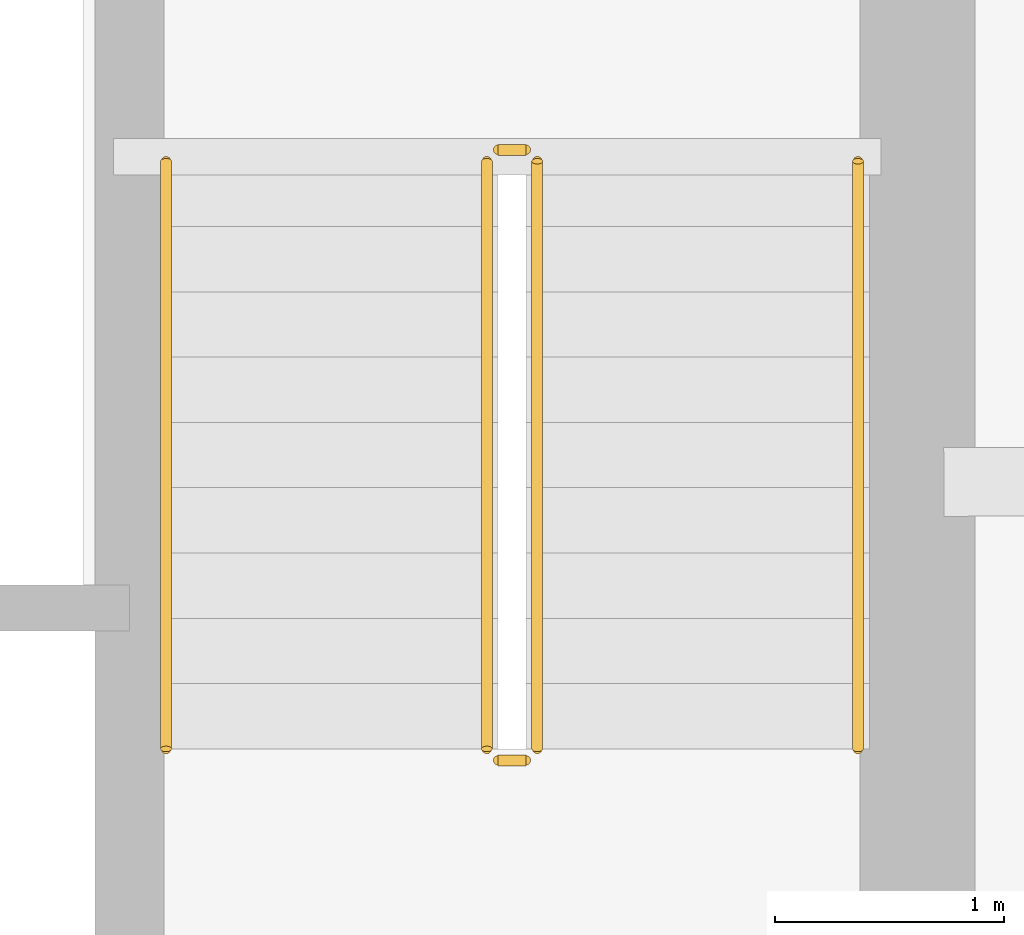
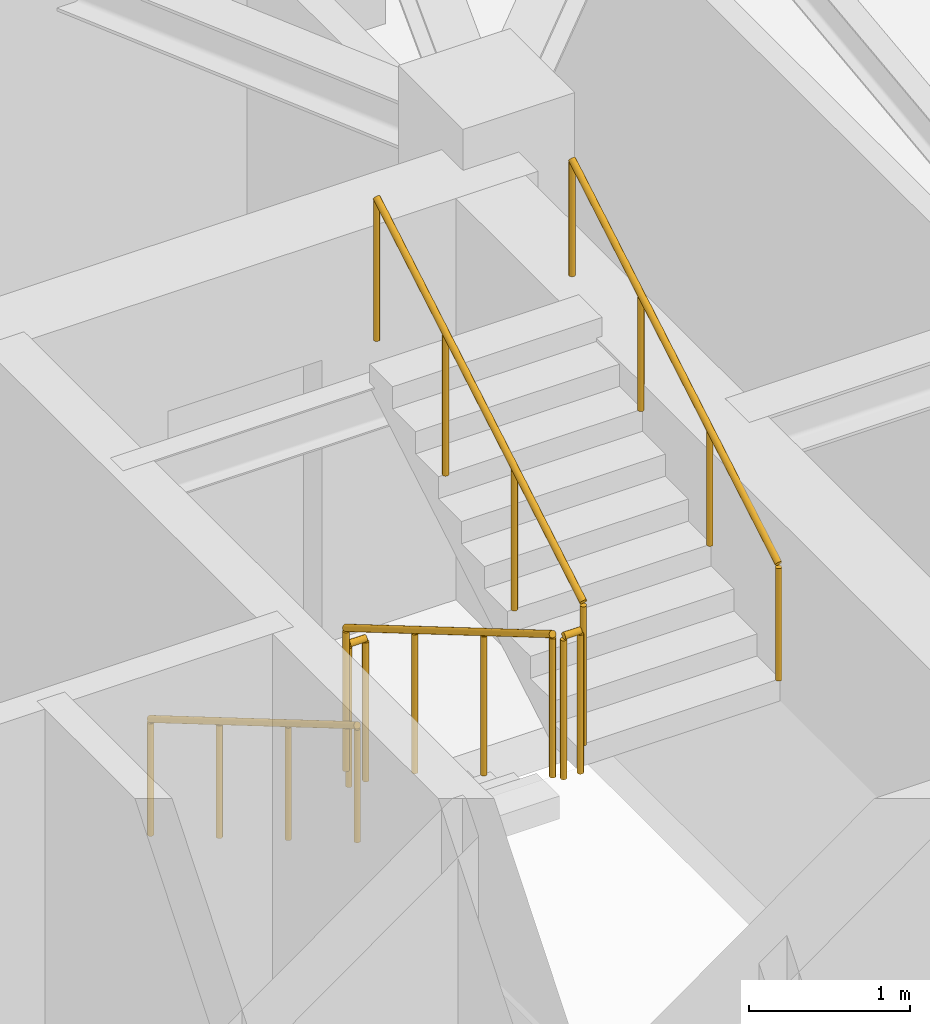
# One storey, part 12 of 13: 6 railings.
"""IFC4 building model written with IfcOpenShell, lengths in metres."""

from ifc_helpers import new_model, si_unit, direction, frame, origin, origin_2d, place, context, subcontext, project, spatial, circle, extrude, material, type_object, element, save


model = new_model("IFC4")

# Units and contexts
model_context = context("Model", 3, precision=1e-05, world=origin(), true_north=direction((0.0, 1.0)))
body_context = subcontext(model_context, "Body", "Model", "MODEL_VIEW")
ifc_project = project(units=[si_unit("LENGTHUNIT", "METRE"), si_unit("AREAUNIT", "SQUARE_METRE"), si_unit("VOLUMEUNIT", "CUBIC_METRE"), si_unit("PLANEANGLEUNIT", "RADIAN"), si_unit("MASSUNIT", "GRAM", prefix="KILO")], contexts=[model_context])

# Site, building, storey
site_placement = place(None, origin())
site = spatial("IfcSite", under=ifc_project, at=site_placement, CompositionType="ELEMENT")
building_placement = place(site_placement, origin())
building = spatial("IfcBuilding", under=site, at=building_placement, Name="Qobustan Lattice House", CompositionType="ELEMENT")
storey_placement = place(building_placement, frame((0.0, 0.0, 186.35009765625)))
storey = spatial("IfcBuildingStorey", under=building, at=storey_placement, Name="L52", CompositionType="ELEMENT", Elevation=186.35009765625)

# Railings
ifc_material_1 = material(Name="Brushed stainless steel handrail", Category="steel")
railing_type_1 = type_object("IfcRailingType", Name="RAL-HR-920", PredefinedType="HANDRAIL", material=ifc_material_1)
railing_1_placement = place(storey_placement, frame((15.179931640625, 3.5, 0.16748046875)))
element("IfcRailing", 1, at=railing_1_placement, inside=storey, type_object=railing_type_1, Name="L52 ST-E1 stair handrail 1", PredefinedType="HANDRAIL", context=body_context, shape_type="SweptSolid", body=[
    extrude(circle(Radius=0.02392578125, at=origin_2d()), frame((0.0, 0.0, 0.8759765625), z_axis=(0.0, -0.862149314443, 0.506654280161), x_axis=(1.0, 0.0, 0.0)), (0.0, 0.0, 1.0), 2.97509765625),
    extrude(circle(Radius=0.02099609375, at=origin_2d()), origin(), (0.0, 0.0, 1.0), 0.851806640625),
    extrude(circle(Radius=0.02099609375, at=origin_2d()), frame((0.0, -0.85498046875, 0.50244140625)), (0.0, 0.0, 1.0), 0.851806640625),
    extrude(circle(Radius=0.02099609375, at=origin_2d()), frame((0.0, -1.7099609375, 1.0048828125)), (0.0, 0.0, 1.0), 0.851806640625),
    extrude(circle(Radius=0.02099609375, at=origin_2d()), frame((0.0, -2.56494140625, 1.50732421875)), (0.0, 0.0, 1.0), 0.851806640625),
])
railing_2_placement = place(storey_placement, frame((18.199951171875, 0.93505859375, 1.84228515625)))
element("IfcRailing", 2, at=railing_2_placement, inside=storey, type_object=railing_type_1, Name="L52 ST-E1 stair handrail 2", PredefinedType="HANDRAIL", context=body_context, shape_type="SweptSolid", body=[
    extrude(circle(Radius=0.02392578125, at=origin_2d()), frame((0.0, 0.0, 0.8759765625), z_axis=(0.0, 0.862113467892, 0.50671527358), x_axis=(-1.0, 0.0, 0.0)), (0.0, 0.0, 1.0), 2.97509765625),
    extrude(circle(Radius=0.02099609375, at=origin_2d()), origin(), (0.0, 0.0, 1.0), 0.851806640625),
    extrude(circle(Radius=0.02099609375, at=origin_2d()), frame((0.0, 0.85498046875, 0.50244140625)), (0.0, 0.0, 1.0), 0.851806640625),
    extrude(circle(Radius=0.02099609375, at=origin_2d()), frame((0.0, 1.7099609375, 1.005126953125)), (0.0, 0.0, 1.0), 0.851806640625),
    extrude(circle(Radius=0.02099609375, at=origin_2d()), frame((0.0, 2.56494140625, 1.507568359375)), (0.0, 0.0, 1.0), 0.851806640625),
])
ifc_material_2 = material(Name="Painted galvanized steel guardrail", Category="steel")
railing_type_2 = type_object("IfcRailingType", Name="RAL-STG-1150", PredefinedType="GUARDRAIL", material=ifc_material_2)
railing_3_placement = place(storey_placement, frame((16.580078125, 3.5, 0.16748046875)))
element("IfcRailing", 3, at=railing_3_placement, inside=storey, type_object=railing_type_2, Name="L52 ST-E1 stair guard 1", PredefinedType="GUARDRAIL", context=body_context, shape_type="SweptSolid", body=[
    extrude(circle(Radius=0.02392578125, at=origin_2d()), frame((0.0, 0.0, 1.076171875), z_axis=(0.0, -0.862149314443, 0.506654280161), x_axis=(1.0, 0.0, 0.0)), (0.0, 0.0, 1.0), 2.97509765625),
    extrude(circle(Radius=0.02099609375, at=origin_2d()), origin(), (0.0, 0.0, 1.0), 1.052001953125),
    extrude(circle(Radius=0.02099609375, at=origin_2d()), frame((0.0, -0.85498046875, 0.50244140625)), (0.0, 0.0, 1.0), 1.052001953125),
    extrude(circle(Radius=0.02099609375, at=origin_2d()), frame((0.0, -1.7099609375, 1.0048828125)), (0.0, 0.0, 1.0), 1.052001953125),
    extrude(circle(Radius=0.02099609375, at=origin_2d()), frame((0.0, -2.56494140625, 1.50732421875)), (0.0, 0.0, 1.0), 1.052001953125),
])
railing_4_placement = place(storey_placement, frame((16.6298828125, 0.885009765625, 1.6748046875)))
element("IfcRailing", 4, at=railing_4_placement, inside=storey, type_object=railing_type_2, Name="L52 ST-E1 stair guard 2", PredefinedType="GUARDRAIL", context=body_context, shape_type="SweptSolid", body=[
    extrude(circle(Radius=0.02392578125, at=origin_2d()), frame((0.0, 0.0, 1.076171875), z_axis=(1.0, 0.0, 0.0), x_axis=(0.0, 1.0, 0.0)), (0.0, 0.0, 1.0), 0.1201171875),
    extrude(circle(Radius=0.02099609375, at=origin_2d()), origin(), (0.0, 0.0, 1.0), 1.052001953125),
    extrude(circle(Radius=0.02099609375, at=origin_2d()), frame((0.1201171875, 0.0, 0.0)), (0.0, 0.0, 1.0), 1.052001953125),
])
railing_5_placement = place(storey_placement, frame((16.800048828125, 0.93505859375, 1.84228515625)))
element("IfcRailing", 5, at=railing_5_placement, inside=storey, type_object=railing_type_2, Name="L52 ST-E1 stair guard 3", PredefinedType="GUARDRAIL", context=body_context, shape_type="SweptSolid", body=[
    extrude(circle(Radius=0.02392578125, at=origin_2d()), frame((0.0, 0.0, 1.076171875), z_axis=(0.0, 0.862113467892, 0.50671527358), x_axis=(-1.0, 0.0, 0.0)), (0.0, 0.0, 1.0), 2.97509765625),
    extrude(circle(Radius=0.02099609375, at=origin_2d()), origin(), (0.0, 0.0, 1.0), 1.052001953125),
    extrude(circle(Radius=0.02099609375, at=origin_2d()), frame((0.0, 0.85498046875, 0.50244140625)), (0.0, 0.0, 1.0), 1.052001953125),
    extrude(circle(Radius=0.02099609375, at=origin_2d()), frame((0.0, 1.7099609375, 1.005126953125)), (0.0, 0.0, 1.0), 1.052001953125),
    extrude(circle(Radius=0.02099609375, at=origin_2d()), frame((0.0, 2.56494140625, 1.507568359375)), (0.0, 0.0, 1.0), 1.052001953125),
])
railing_6_placement = place(storey_placement, frame((16.6298828125, 3.550048828125, 0.0)))
element("IfcRailing", 6, at=railing_6_placement, inside=storey, type_object=railing_type_2, Name="L52 ST-E1 stair guard 4", PredefinedType="GUARDRAIL", context=body_context, shape_type="SweptSolid", body=[
    extrude(circle(Radius=0.02392578125, at=origin_2d()), frame((0.0, 0.0, 1.076171875), z_axis=(1.0, 0.0, 0.0), x_axis=(0.0, 1.0, 0.0)), (0.0, 0.0, 1.0), 0.1201171875),
    extrude(circle(Radius=0.02099609375, at=origin_2d()), origin(), (0.0, 0.0, 1.0), 1.052001953125),
    extrude(circle(Radius=0.02099609375, at=origin_2d()), frame((0.1201171875, 0.0, 0.0)), (0.0, 0.0, 1.0), 1.052001953125),
])

save(model, "model.ifc")
